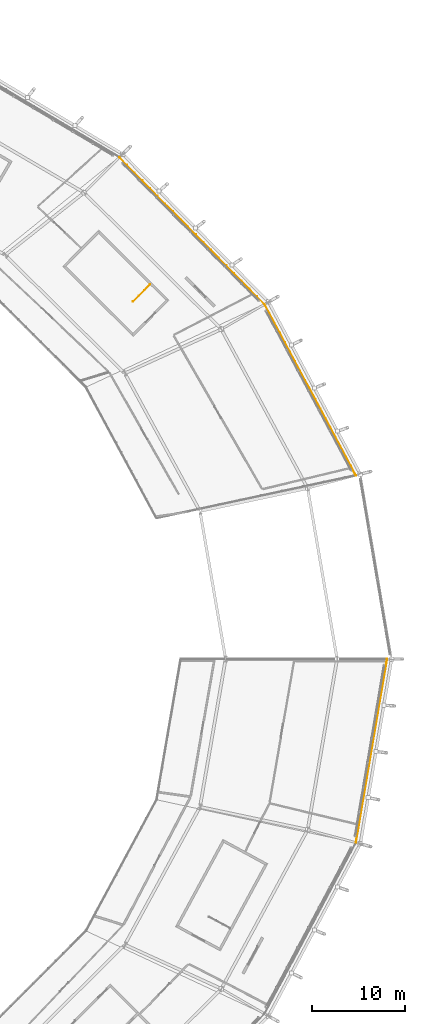
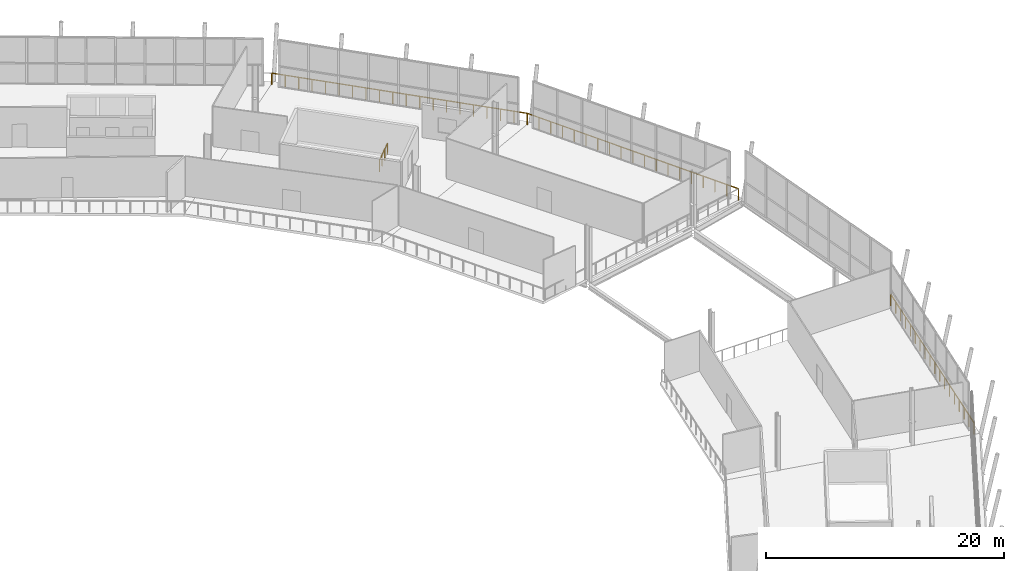
# One storey, part 97 of 99: 4 railings.
"""IFC4 building model written with IfcOpenShell, lengths in metres."""

from ifc_helpers import new_model, si_unit, direction, frame, origin, origin_2d, place, context, subcontext, project, spatial, rectangle, extrude, material, type_object, element, save


model = new_model("IFC4")

# Units and contexts
model_context = context("Model", 3, precision=1e-05, world=origin(), true_north=direction((0.0, 1.0)))
body_context = subcontext(model_context, "Body", "Model", "MODEL_VIEW")
ifc_project = project(units=[si_unit("LENGTHUNIT", "METRE"), si_unit("AREAUNIT", "SQUARE_METRE"), si_unit("VOLUMEUNIT", "CUBIC_METRE"), si_unit("PLANEANGLEUNIT", "RADIAN"), si_unit("MASSUNIT", "GRAM", prefix="KILO")], contexts=[model_context])

# Site, building, storey
site_placement = place(None, origin())
site = spatial("IfcSite", under=ifc_project, at=site_placement, CompositionType="ELEMENT")
building_placement = place(site_placement, origin())
building = spatial("IfcBuilding", under=site, at=building_placement, Name="Zlatoyarsky Gate Stadium", CompositionType="ELEMENT")
storey_placement = place(building_placement, frame((0.0, 0.0, 26.199951171875)))
storey = spatial("IfcBuildingStorey", under=building, at=storey_placement, Name="L05", CompositionType="ELEMENT", Elevation=26.199951171875)

# Railings
ifc_material_1 = material(Name="Powder-coated steel tubular guardrail", Category="steel")
railing_type_1 = type_object("IfcRailingType", Name="CONCOURSE SLAB EDGE GUARDRAIL 1200", PredefinedType="GUARDRAIL", material=ifc_material_1)
railing_1_placement = place(storey_placement, frame((206.02587890625, 99.76806640625, 0.0)))
element("IfcRailing", 1, at=railing_1_placement, inside=storey, type_object=railing_type_1, Name="L05 outer slab edge guardrail 01", PredefinedType="GUARDRAIL", context=body_context, shape_type="SweptSolid", body=[
    extrude(rectangle(XDim=0.048095703125, YDim=0.048095703125, at=origin_2d()), frame((0.0, 0.0, 1.17578125), z_axis=(-0.470715076783, 0.882285280671, 0.0), x_axis=(-0.882285280671, -0.470715076783, 0.0)), (0.0, 0.0, 1.0), 20.878662109375),
    extrude(rectangle(XDim=0.0419921875, YDim=0.0419921875, at=origin_2d()), origin(), (0.0, 0.0, 1.0), 1.15185546875),
    extrude(rectangle(XDim=0.0419921875, YDim=0.0419921875, at=origin_2d()), frame((-0.5458984375, 1.0234375, 0.0)), (0.0, 0.0, 1.0), 1.15185546875),
    extrude(rectangle(XDim=0.0419921875, YDim=0.0419921875, at=origin_2d()), frame((-1.092041015625, 2.046875, 0.0)), (0.0, 0.0, 1.0), 1.15185546875),
    extrude(rectangle(XDim=0.0419921875, YDim=0.0419921875, at=origin_2d()), frame((-1.637939453125, 3.070068359375, 0.0)), (0.0, 0.0, 1.0), 1.15185546875),
    extrude(rectangle(XDim=0.0419921875, YDim=0.0419921875, at=origin_2d()), frame((-2.18408203125, 4.093505859375, 0.0)), (0.0, 0.0, 1.0), 1.15185546875),
    extrude(rectangle(XDim=0.0419921875, YDim=0.0419921875, at=origin_2d()), frame((-2.72998046875, 5.116943359375, 0.0)), (0.0, 0.0, 1.0), 1.15185546875),
    extrude(rectangle(XDim=0.0419921875, YDim=0.0419921875, at=origin_2d()), frame((-3.27587890625, 6.140380859375, 0.0)), (0.0, 0.0, 1.0), 1.15185546875),
    extrude(rectangle(XDim=0.0419921875, YDim=0.0419921875, at=origin_2d()), frame((-3.822021484375, 7.16357421875, 0.0)), (0.0, 0.0, 1.0), 1.15185546875),
    extrude(rectangle(XDim=0.0419921875, YDim=0.0419921875, at=origin_2d()), frame((-4.367919921875, 8.18701171875, 0.0)), (0.0, 0.0, 1.0), 1.15185546875),
    extrude(rectangle(XDim=0.0419921875, YDim=0.0419921875, at=origin_2d()), frame((-4.9140625, 9.21044921875, 0.0)), (0.0, 0.0, 1.0), 1.15185546875),
    extrude(rectangle(XDim=0.0419921875, YDim=0.0419921875, at=origin_2d()), frame((-5.4599609375, 10.23388671875, 0.0)), (0.0, 0.0, 1.0), 1.15185546875),
    extrude(rectangle(XDim=0.0419921875, YDim=0.0419921875, at=origin_2d()), frame((-6.005859375, 11.25732421875, 0.0)), (0.0, 0.0, 1.0), 1.15185546875),
    extrude(rectangle(XDim=0.0419921875, YDim=0.0419921875, at=origin_2d()), frame((-6.552001953125, 12.280517578125, 0.0)), (0.0, 0.0, 1.0), 1.15185546875),
    extrude(rectangle(XDim=0.0419921875, YDim=0.0419921875, at=origin_2d()), frame((-7.097900390625, 13.303955078125, 0.0)), (0.0, 0.0, 1.0), 1.15185546875),
    extrude(rectangle(XDim=0.0419921875, YDim=0.0419921875, at=origin_2d()), frame((-7.643798828125, 14.327392578125, 0.0)), (0.0, 0.0, 1.0), 1.15185546875),
    extrude(rectangle(XDim=0.0419921875, YDim=0.0419921875, at=origin_2d()), frame((-8.18994140625, 15.350830078125, 0.0)), (0.0, 0.0, 1.0), 1.15185546875),
    extrude(rectangle(XDim=0.0419921875, YDim=0.0419921875, at=origin_2d()), frame((-8.73583984375, 16.3740234375, 0.0)), (0.0, 0.0, 1.0), 1.15185546875),
    extrude(rectangle(XDim=0.0419921875, YDim=0.0419921875, at=origin_2d()), frame((-9.281982421875, 17.3974609375, 0.0)), (0.0, 0.0, 1.0), 1.15185546875),
    extrude(rectangle(XDim=0.0419921875, YDim=0.0419921875, at=origin_2d()), frame((-9.827880859375, 18.4208984375, 0.0)), (0.0, 0.0, 1.0), 1.15185546875),
])
railing_2_placement = place(storey_placement, frame((196.197998046875, 118.18896484375, 0.0)))
element("IfcRailing", 2, at=railing_2_placement, inside=storey, type_object=railing_type_1, Name="L05 outer slab edge guardrail 02", PredefinedType="GUARDRAIL", context=body_context, shape_type="SweptSolid", body=[
    extrude(rectangle(XDim=0.048095703125, YDim=0.048095703125, at=origin_2d()), frame((0.0, 0.0, 1.17578125), z_axis=(-0.70295078812, 0.711238489876, 0.0), x_axis=(-0.711238489876, -0.70295078812, 0.0)), (0.0, 0.0, 1.0), 22.240966796875),
    extrude(rectangle(XDim=0.0419921875, YDim=0.0419921875, at=origin_2d()), origin(), (0.0, 0.0, 1.0), 1.15185546875),
    extrude(rectangle(XDim=0.0419921875, YDim=0.0419921875, at=origin_2d()), frame((-0.82275390625, 0.83251953125, 0.0)), (0.0, 0.0, 1.0), 1.15185546875),
    extrude(rectangle(XDim=0.0419921875, YDim=0.0419921875, at=origin_2d()), frame((-1.645751953125, 1.6650390625, 0.0)), (0.0, 0.0, 1.0), 1.15185546875),
    extrude(rectangle(XDim=0.0419921875, YDim=0.0419921875, at=origin_2d()), frame((-2.468505859375, 2.49755859375, 0.0)), (0.0, 0.0, 1.0), 1.15185546875),
    extrude(rectangle(XDim=0.0419921875, YDim=0.0419921875, at=origin_2d()), frame((-3.29150390625, 3.330322265625, 0.0)), (0.0, 0.0, 1.0), 1.15185546875),
    extrude(rectangle(XDim=0.0419921875, YDim=0.0419921875, at=origin_2d()), frame((-4.1142578125, 4.162841796875, 0.0)), (0.0, 0.0, 1.0), 1.15185546875),
    extrude(rectangle(XDim=0.0419921875, YDim=0.0419921875, at=origin_2d()), frame((-4.937255859375, 4.995361328125, 0.0)), (0.0, 0.0, 1.0), 1.15185546875),
    extrude(rectangle(XDim=0.0419921875, YDim=0.0419921875, at=origin_2d()), frame((-5.760009765625, 5.827880859375, 0.0)), (0.0, 0.0, 1.0), 1.15185546875),
    extrude(rectangle(XDim=0.0419921875, YDim=0.0419921875, at=origin_2d()), frame((-6.582763671875, 6.660400390625, 0.0)), (0.0, 0.0, 1.0), 1.15185546875),
    extrude(rectangle(XDim=0.0419921875, YDim=0.0419921875, at=origin_2d()), frame((-7.40576171875, 7.492919921875, 0.0)), (0.0, 0.0, 1.0), 1.15185546875),
    extrude(rectangle(XDim=0.0419921875, YDim=0.0419921875, at=origin_2d()), frame((-8.228515625, 8.32568359375, 0.0)), (0.0, 0.0, 1.0), 1.15185546875),
    extrude(rectangle(XDim=0.0419921875, YDim=0.0419921875, at=origin_2d()), frame((-9.051513671875, 9.158203125, 0.0)), (0.0, 0.0, 1.0), 1.15185546875),
    extrude(rectangle(XDim=0.0419921875, YDim=0.0419921875, at=origin_2d()), frame((-9.874267578125, 9.99072265625, 0.0)), (0.0, 0.0, 1.0), 1.15185546875),
    extrude(rectangle(XDim=0.0419921875, YDim=0.0419921875, at=origin_2d()), frame((-10.697021484375, 10.8232421875, 0.0)), (0.0, 0.0, 1.0), 1.15185546875),
    extrude(rectangle(XDim=0.0419921875, YDim=0.0419921875, at=origin_2d()), frame((-11.52001953125, 11.65576171875, 0.0)), (0.0, 0.0, 1.0), 1.15185546875),
    extrude(rectangle(XDim=0.0419921875, YDim=0.0419921875, at=origin_2d()), frame((-12.3427734375, 12.48828125, 0.0)), (0.0, 0.0, 1.0), 1.15185546875),
    extrude(rectangle(XDim=0.0419921875, YDim=0.0419921875, at=origin_2d()), frame((-13.165771484375, 13.321044921875, 0.0)), (0.0, 0.0, 1.0), 1.15185546875),
    extrude(rectangle(XDim=0.0419921875, YDim=0.0419921875, at=origin_2d()), frame((-13.988525390625, 14.153564453125, 0.0)), (0.0, 0.0, 1.0), 1.15185546875),
    extrude(rectangle(XDim=0.0419921875, YDim=0.0419921875, at=origin_2d()), frame((-14.8115234375, 14.986083984375, 0.0)), (0.0, 0.0, 1.0), 1.15185546875),
    extrude(rectangle(XDim=0.0419921875, YDim=0.0419921875, at=origin_2d()), frame((-15.63427734375, 15.818603515625, 0.0)), (0.0, 0.0, 1.0), 1.15185546875),
])
railing_3_placement = place(storey_placement, frame((206.02587890625, 60.23193359375, 0.0)))
element("IfcRailing", 3, at=railing_3_placement, inside=storey, type_object=railing_type_1, Name="L05 outer slab edge guardrail 23", PredefinedType="GUARDRAIL", context=body_context, shape_type="SweptSolid", body=[
    extrude(rectangle(XDim=0.048095703125, YDim=0.048095703125, at=origin_2d()), frame((0.0, 0.0, 1.17578125), z_axis=(0.167194294014, 0.985923966667, 0.0), x_axis=(-0.985923966667, 0.167194294014, 0.0)), (0.0, 0.0, 1.0), 20.05029296875),
    extrude(rectangle(XDim=0.0419921875, YDim=0.0419921875, at=origin_2d()), origin(), (0.0, 0.0, 1.0), 1.15185546875),
    extrude(rectangle(XDim=0.0419921875, YDim=0.0419921875, at=origin_2d()), frame((0.197265625, 1.162841796875, 0.0)), (0.0, 0.0, 1.0), 1.15185546875),
    extrude(rectangle(XDim=0.0419921875, YDim=0.0419921875, at=origin_2d()), frame((0.394287109375, 2.32568359375, 0.0)), (0.0, 0.0, 1.0), 1.15185546875),
    extrude(rectangle(XDim=0.0419921875, YDim=0.0419921875, at=origin_2d()), frame((0.591552734375, 3.488525390625, 0.0)), (0.0, 0.0, 1.0), 1.15185546875),
    extrude(rectangle(XDim=0.0419921875, YDim=0.0419921875, at=origin_2d()), frame((0.788818359375, 4.6513671875, 0.0)), (0.0, 0.0, 1.0), 1.15185546875),
    extrude(rectangle(XDim=0.0419921875, YDim=0.0419921875, at=origin_2d()), frame((0.986083984375, 5.814208984375, 0.0)), (0.0, 0.0, 1.0), 1.15185546875),
    extrude(rectangle(XDim=0.0419921875, YDim=0.0419921875, at=origin_2d()), frame((1.18310546875, 6.97705078125, 0.0)), (0.0, 0.0, 1.0), 1.15185546875),
    extrude(rectangle(XDim=0.0419921875, YDim=0.0419921875, at=origin_2d()), frame((1.38037109375, 8.139892578125, 0.0)), (0.0, 0.0, 1.0), 1.15185546875),
    extrude(rectangle(XDim=0.0419921875, YDim=0.0419921875, at=origin_2d()), frame((1.57763671875, 9.302734375, 0.0)), (0.0, 0.0, 1.0), 1.15185546875),
    extrude(rectangle(XDim=0.0419921875, YDim=0.0419921875, at=origin_2d()), frame((1.774658203125, 10.46533203125, 0.0)), (0.0, 0.0, 1.0), 1.15185546875),
    extrude(rectangle(XDim=0.0419921875, YDim=0.0419921875, at=origin_2d()), frame((1.971923828125, 11.628173828125, 0.0)), (0.0, 0.0, 1.0), 1.15185546875),
    extrude(rectangle(XDim=0.0419921875, YDim=0.0419921875, at=origin_2d()), frame((2.169189453125, 12.791015625, 0.0)), (0.0, 0.0, 1.0), 1.15185546875),
    extrude(rectangle(XDim=0.0419921875, YDim=0.0419921875, at=origin_2d()), frame((2.3662109375, 13.953857421875, 0.0)), (0.0, 0.0, 1.0), 1.15185546875),
    extrude(rectangle(XDim=0.0419921875, YDim=0.0419921875, at=origin_2d()), frame((2.5634765625, 15.11669921875, 0.0)), (0.0, 0.0, 1.0), 1.15185546875),
    extrude(rectangle(XDim=0.0419921875, YDim=0.0419921875, at=origin_2d()), frame((2.7607421875, 16.279541015625, 0.0)), (0.0, 0.0, 1.0), 1.15185546875),
    extrude(rectangle(XDim=0.0419921875, YDim=0.0419921875, at=origin_2d()), frame((2.9580078125, 17.4423828125, 0.0)), (0.0, 0.0, 1.0), 1.15185546875),
    extrude(rectangle(XDim=0.0419921875, YDim=0.0419921875, at=origin_2d()), frame((3.155029296875, 18.605224609375, 0.0)), (0.0, 0.0, 1.0), 1.15185546875),
    extrude(rectangle(XDim=0.0419921875, YDim=0.0419921875, at=origin_2d()), frame((3.352294921875, 19.76806640625, 0.0)), (0.0, 0.0, 1.0), 1.15185546875),
])
ifc_material_2 = material(Name="Powder-coated steel stair guardrail", Category="steel")
railing_type_2 = type_object("IfcRailingType", Name="PAINTED STEEL STAIR WELL GUARDRAIL 1150", PredefinedType="GUARDRAIL", material=ifc_material_2)
railing_4_placement = place(storey_placement, frame((183.863525390625, 120.31201171875, 0.0)))
element("IfcRailing", 4, at=railing_4_placement, inside=storey, type_object=railing_type_2, Name="ST-02 L05 top well guard 1", PredefinedType="GUARDRAIL", context=body_context, shape_type="SweptSolid", body=[
    extrude(rectangle(XDim=0.048095703125, YDim=0.048095703125, at=origin_2d()), frame((0.0, 0.0, 1.1259765625), z_axis=(-0.705320335516, -0.708888724912, 0.0), x_axis=(0.708888724912, -0.705320335516, 0.0)), (0.0, 0.0, 1.0), 2.599853515625),
    extrude(rectangle(XDim=0.0419921875, YDim=0.0419921875, at=origin_2d()), origin(), (0.0, 0.0, 1.0), 1.101806640625),
    extrude(rectangle(XDim=0.0419921875, YDim=0.0419921875, at=origin_2d()), frame((-0.611328125, -0.6142578125, 0.0)), (0.0, 0.0, 1.0), 1.101806640625),
    extrude(rectangle(XDim=0.0419921875, YDim=0.0419921875, at=origin_2d()), frame((-1.222412109375, -1.228759765625, 0.0)), (0.0, 0.0, 1.0), 1.101806640625),
    extrude(rectangle(XDim=0.0419921875, YDim=0.0419921875, at=origin_2d()), frame((-1.833740234375, -1.843017578125, 0.0)), (0.0, 0.0, 1.0), 1.101806640625),
])

save(model, "model.ifc")
